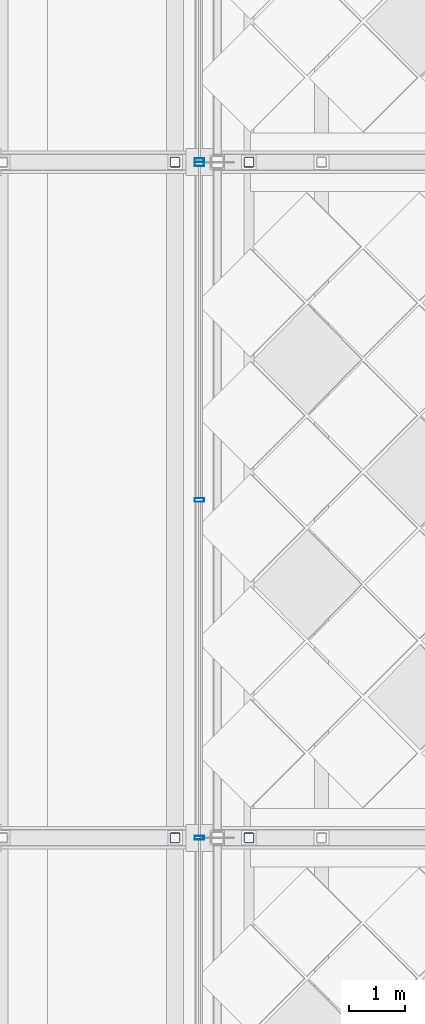
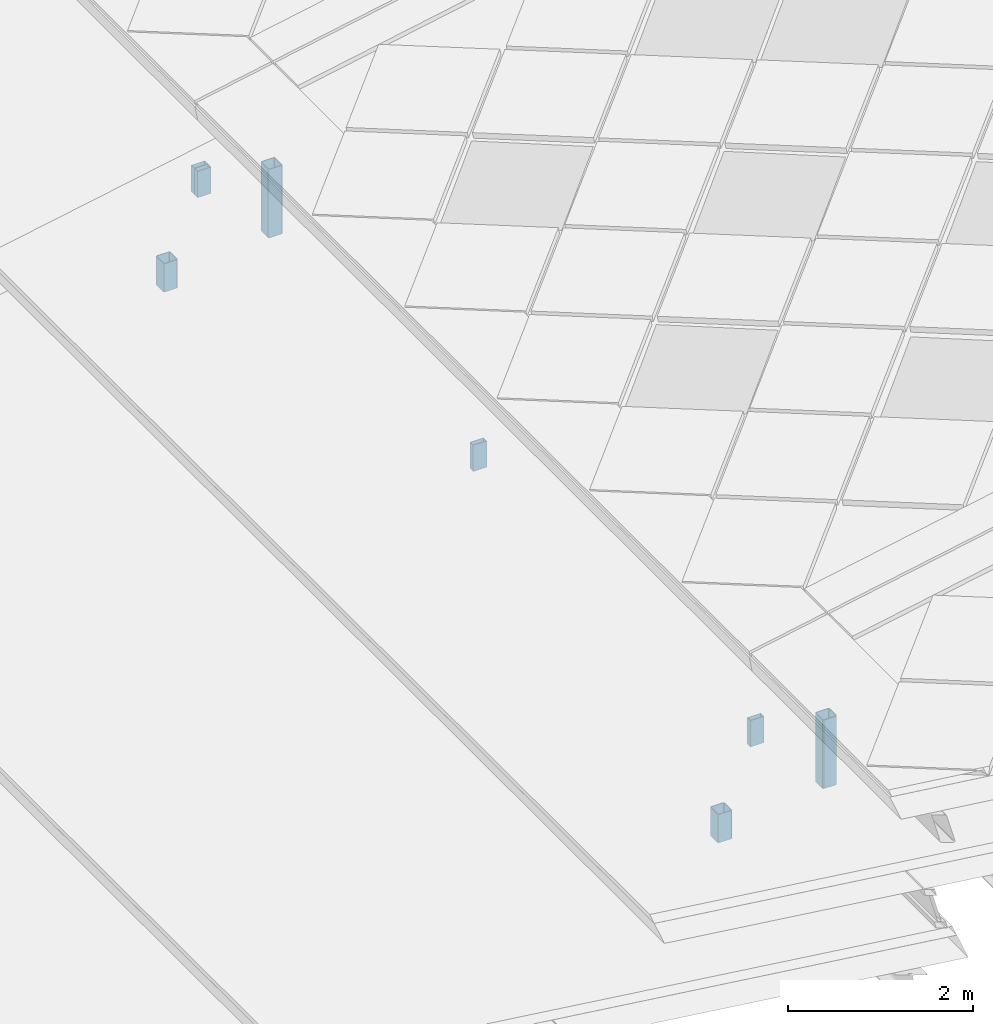
# One storey, part 60 of 117: 8 members, 2 elements without a shape of their own.
"""IFC4 building model written with IfcOpenShell, lengths in metres."""

from ifc_helpers import new_model, si_unit, direction, frame, origin, origin_2d, place, context, subcontext, project, spatial, hollow_rectangle, extrude, material, material_profile, profile_set, type_object, element, aggregate, save


model = new_model("IFC4")

# Units and contexts
model_context = context("Model", 3, precision=1e-05, world=origin(), true_north=direction((0.0, 1.0)))
body_context = subcontext(model_context, "Body", "Model", "MODEL_VIEW")
ifc_project = project(units=[si_unit("LENGTHUNIT", "METRE"), si_unit("AREAUNIT", "SQUARE_METRE"), si_unit("VOLUMEUNIT", "CUBIC_METRE"), si_unit("PLANEANGLEUNIT", "RADIAN"), si_unit("MASSUNIT", "GRAM", prefix="KILO")], contexts=[model_context])

# Site, building, storey
site_placement = place(None, origin())
site = spatial("IfcSite", under=ifc_project, at=site_placement, CompositionType="ELEMENT")
building_placement = place(site_placement, origin())
building = spatial("IfcBuilding", under=site, at=building_placement, Name="Merenkruunu Market Hall", CompositionType="ELEMENT")
storey_placement = place(building_placement, frame((0.0, 0.0, 22.800048828125)))
storey = spatial("IfcBuildingStorey", under=building, at=storey_placement, Name="RF", CompositionType="ELEMENT", Elevation=22.800048828125)

# Curtain wall, members
ifc_material_1 = material(Name="Powder-coated aluminium", Category="aluminium")
curtain_wall_type = type_object("IfcCurtainWallType", Name="Clerestory Curtain Band CL05", PredefinedType="USERDEFINED", material=ifc_material_1)
curtain_wall_1_placement = place(storey_placement, origin())
curtain_wall_1 = element("IfcCurtainWall", 1, at=curtain_wall_1_placement, inside=storey, type_object=curtain_wall_type, Name="CW-RF-CWM04-115", ObjectType="CLERESTORY_BAND", PredefinedType="USERDEFINED")
ifc_material_profile_1 = material_profile(ifc_material_1, hollow_rectangle(XDim=0.070068359375, YDim=0.169921875, WallThickness=0.0048828125, at=origin_2d()), Name="ALU 70x170x5")
ifc_profile_set_1 = profile_set([ifc_material_profile_1], Name="Powder-coated aluminium")
member_type_1 = type_object("IfcMemberType", Name="Curtain Wall Mullion CWM04", PredefinedType="MULLION", material=ifc_profile_set_1)
member_1_placement = place(storey_placement, frame((18.8798828125, 51.60009765625, -1.241943359375), z_axis=(0.0, 0.0, 1.0), x_axis=(0.0, 1.0, 0.0)))
member_1 = element("IfcMember", 2, at=member_1_placement, type_object=member_type_1, Name="CL05 mullion 3", PredefinedType="MULLION", context=body_context, shape_type="SweptSolid", body=[
    extrude(hollow_rectangle(XDim=0.070068359375, YDim=0.169921875, WallThickness=0.0048828125, at=origin_2d()), origin(), (0.0, 0.0, 1.0), 0.347900390625),
])
member_2_placement = place(storey_placement, frame((18.8798828125, 57.60009765625, -1.241943359375), z_axis=(0.0, 0.0, 1.0), x_axis=(0.0, 1.0, 0.0)))
member_2 = element("IfcMember", 3, at=member_2_placement, type_object=member_type_1, Name="CL05 mullion 4", PredefinedType="MULLION", context=body_context, shape_type="SweptSolid", body=[
    extrude(hollow_rectangle(XDim=0.070068359375, YDim=0.169921875, WallThickness=0.0048828125, at=origin_2d()), origin(), (0.0, 0.0, 1.0), 0.347900390625),
])
member_3_placement = place(storey_placement, frame((18.8798828125, 63.56494140625, -1.241943359375), z_axis=(0.0, 0.0, 1.0), x_axis=(0.0, 1.0, 0.0)))
member_3 = element("IfcMember", 4, at=member_3_placement, type_object=member_type_1, Name="CL05 mullion 5", PredefinedType="MULLION", context=body_context, shape_type="SweptSolid", body=[
    extrude(hollow_rectangle(XDim=0.070068359375, YDim=0.169921875, WallThickness=0.0048828125, at=origin_2d()), origin(), (0.0, 0.0, 1.0), 0.347900390625),
])
aggregate(curtain_wall_1, [member_1, member_2, member_3])

# Curtain wall, member
curtain_wall_2_placement = place(storey_placement, origin())
curtain_wall_2 = element("IfcCurtainWall", 5, at=curtain_wall_2_placement, inside=storey, type_object=curtain_wall_type, Name="CW-RF-CWM04-117", ObjectType="CLERESTORY_BAND", PredefinedType="USERDEFINED")
member_4_placement = place(storey_placement, frame((18.8798828125, 63.635009765625, -1.241943359375), z_axis=(0.0, 0.0, 1.0), x_axis=(0.0, 1.0, 0.0)))
member_4 = element("IfcMember", 6, at=member_4_placement, type_object=member_type_1, Name="CL05 mullion 1", PredefinedType="MULLION", context=body_context, shape_type="SweptSolid", body=[
    extrude(hollow_rectangle(XDim=0.070068359375, YDim=0.169921875, WallThickness=0.0048828125, at=origin_2d()), origin(), (0.0, 0.0, 1.0), 0.347900390625),
])
aggregate(curtain_wall_2, [member_4])

# Members
ifc_material_2 = material(Name="Steel S355J2", Category="steel")
ifc_material_profile_2 = material_profile(ifc_material_2, hollow_rectangle(XDim=0.179931640625, YDim=0.179931640625, WallThickness=0.010009765625, InnerFilletRadius=0.010009765625, OuterFilletRadius=0.02001953125, at=origin_2d()), Name="SHS 180x180x10")
ifc_profile_set_2 = profile_set([ifc_material_profile_2], Name="Steel S355J2")
member_type_2 = type_object("IfcMemberType", Name="Diagonal Sway Brace BR05", PredefinedType="BRACE", material=ifc_profile_set_2)
member_5_placement = place(storey_placement, frame((18.449951171875, 51.60009765625, -2.326904296875), z_axis=(0.0, 0.0, 1.0), x_axis=(1.0, 0.0, 0.0)))
element("IfcMember", 7, at=member_5_placement, inside=storey, type_object=member_type_2, Name="TRUSS-AT-4-RISER-W5-2", PredefinedType="BRACE", context=body_context, shape_type="SweptSolid", body=[
    extrude(hollow_rectangle(XDim=0.179931640625, YDim=0.179931640625, WallThickness=0.010009765625, InnerFilletRadius=0.010009765625, OuterFilletRadius=0.02001953125, at=origin_2d()), origin(), (0.0, 0.0, 1.0), 0.37451171875),
])
member_6_placement = place(storey_placement, frame((19.760009765625, 51.60009765625, -2.07080078125), z_axis=(0.0, 0.0, 1.0), x_axis=(1.0, 0.0, 0.0)))
element("IfcMember", 8, at=member_6_placement, inside=storey, type_object=member_type_2, Name="TRUSS-AT-4-RISER-W6-1", PredefinedType="BRACE", context=body_context, shape_type="SweptSolid", body=[
    extrude(hollow_rectangle(XDim=0.179931640625, YDim=0.179931640625, WallThickness=0.010009765625, InnerFilletRadius=0.010009765625, OuterFilletRadius=0.02001953125, at=origin_2d()), origin(), (0.0, 0.0, 1.0), 0.90576171875),
])
member_7_placement = place(storey_placement, frame((18.449951171875, 63.60009765625, -2.326904296875), z_axis=(0.0, 0.0, 1.0), x_axis=(1.0, 0.0, 0.0)))
element("IfcMember", 9, at=member_7_placement, inside=storey, type_object=member_type_2, Name="TRUSS-AT-5-RISER-W5-2", PredefinedType="BRACE", context=body_context, shape_type="SweptSolid", body=[
    extrude(hollow_rectangle(XDim=0.179931640625, YDim=0.179931640625, WallThickness=0.010009765625, InnerFilletRadius=0.010009765625, OuterFilletRadius=0.02001953125, at=origin_2d()), origin(), (0.0, 0.0, 1.0), 0.37451171875),
])
member_8_placement = place(storey_placement, frame((19.760009765625, 63.60009765625, -2.07080078125), z_axis=(0.0, 0.0, 1.0), x_axis=(1.0, 0.0, 0.0)))
element("IfcMember", 10, at=member_8_placement, inside=storey, type_object=member_type_2, Name="TRUSS-AT-5-RISER-W6-1", PredefinedType="BRACE", context=body_context, shape_type="SweptSolid", body=[
    extrude(hollow_rectangle(XDim=0.179931640625, YDim=0.179931640625, WallThickness=0.010009765625, InnerFilletRadius=0.010009765625, OuterFilletRadius=0.02001953125, at=origin_2d()), origin(), (0.0, 0.0, 1.0), 0.90576171875),
])

save(model, "model.ifc")
